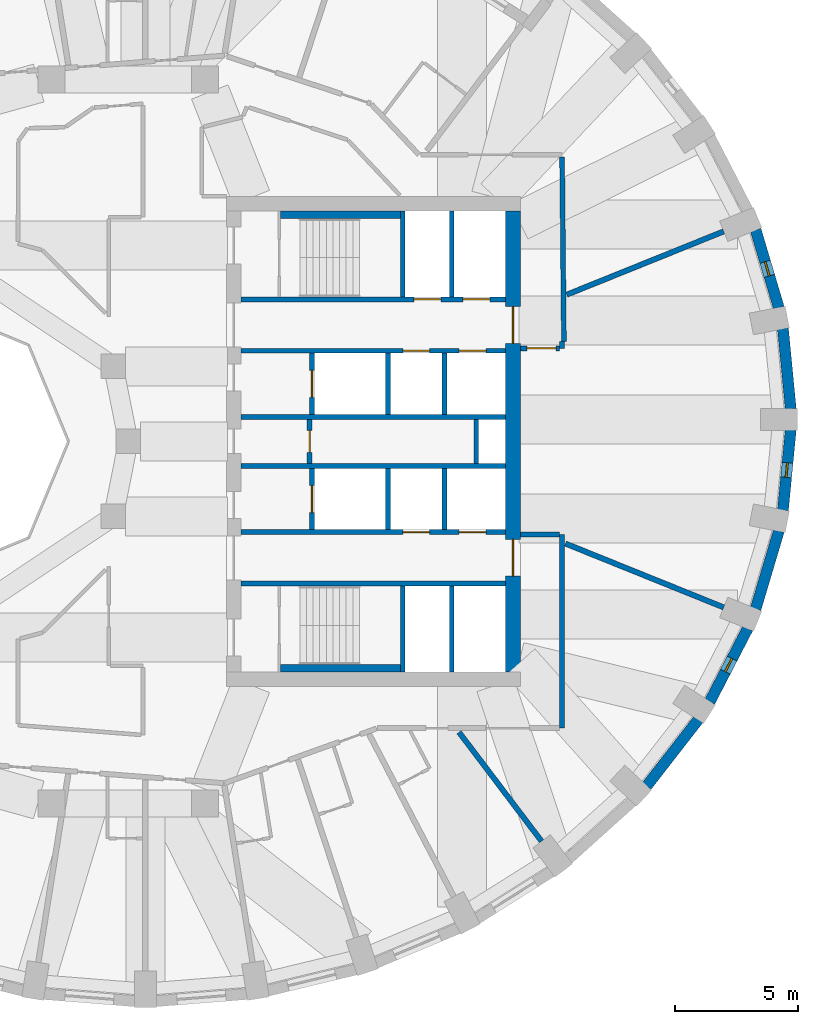
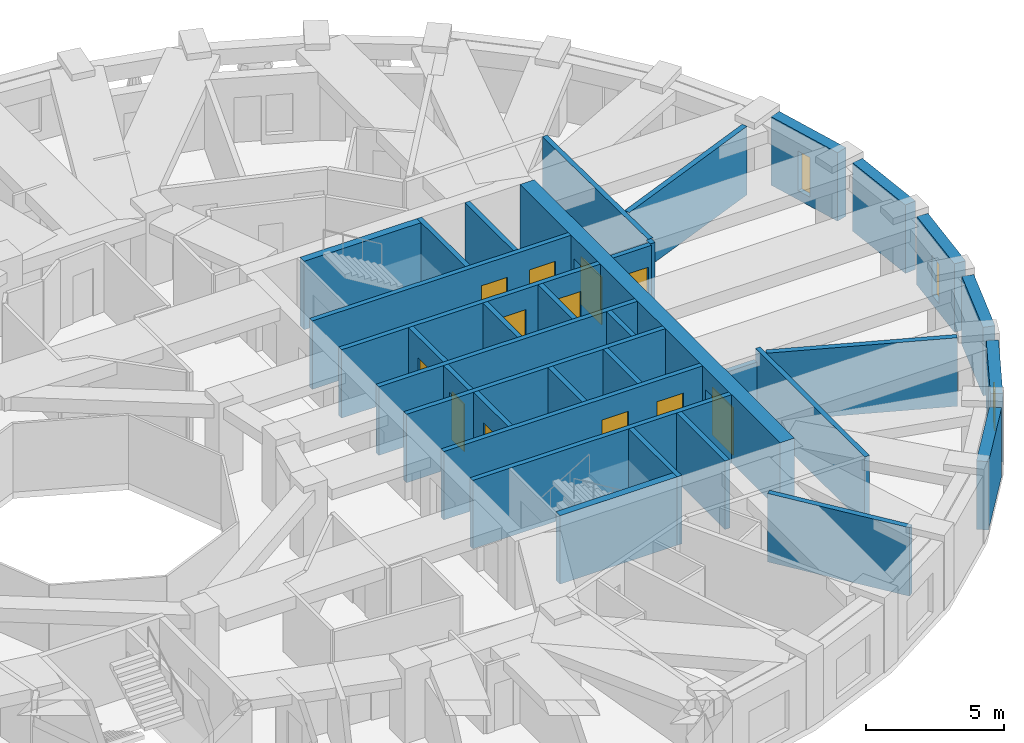
# One storey, part 6 of 12: 35 walls, 12 doors, 3 windows, 15 openings.
"""IFC4 building model written with IfcOpenShell, lengths in metres."""

from ifc_helpers import new_model, si_unit, direction, frame, frame_2d, origin, place, context, subcontext, project, spatial, rectangle, extrude, material, layer, layer_set, type_object, element, fill, save


model = new_model("IFC4")

# Units and contexts
model_context = context("Model", 3, precision=1e-05, world=origin(), true_north=direction((0.0, 1.0)))
body_context = subcontext(model_context, "Body", "Model", "MODEL_VIEW")
ifc_project = project(units=[si_unit("LENGTHUNIT", "METRE"), si_unit("AREAUNIT", "SQUARE_METRE"), si_unit("VOLUMEUNIT", "CUBIC_METRE"), si_unit("PLANEANGLEUNIT", "RADIAN"), si_unit("MASSUNIT", "GRAM", prefix="KILO")], contexts=[model_context])

# Site, building, storey
site_placement = place(None, origin())
site = spatial("IfcSite", under=ifc_project, at=site_placement, CompositionType="ELEMENT")
building_placement = place(site_placement, origin())
building = spatial("IfcBuilding", under=site, at=building_placement, Name="Taillehof Tower", CompositionType="ELEMENT")
storey_placement = place(building_placement, frame((0.0, 0.0, 192.5)))
storey = spatial("IfcBuildingStorey", under=building, at=storey_placement, Name="L54", CompositionType="ELEMENT", Elevation=192.5)

# Wall
ifc_material_1 = material(Name="Brick masonry", Category="masonry")
ifc_layer_1 = layer(ifc_material_1, 0.449951171875)
ifc_layer_set_1 = layer_set([ifc_layer_1], Name="Brick infill wall 450")
wall_type_1 = type_object("IfcWallType", Name="Brick infill wall 450", PredefinedType="SOLIDWALL", material=ifc_layer_set_1)
wall_1_placement = place(storey_placement, frame((27.0322265625, 1.330078125, 0.0), z_axis=(0.0, 0.0, 1.0), x_axis=(-0.096824116835, 0.995301507283, 0.0)))
element("IfcWall", 1, at=wall_1_placement, inside=storey, type_object=wall_type_1, Name="Brick wall L54 bay 1", PredefinedType="SOLIDWALL", context=body_context, shape_type="SweptSolid", body=[
    extrude(rectangle(XDim=3.29296875, YDim=0.449951171875, at=frame_2d((1.646484375, 0.0))), origin(), (0.0, 0.0, 1.0), 3.02001953125),
])

# Wall, opening, window
wall_2_placement = place(storey_placement, frame((26.548095703125, 5.451904296875, 0.0), z_axis=(0.0, 0.0, 1.0), x_axis=(-0.285444972963, 0.958395099847, 0.0)))
wall_2 = element("IfcWall", 2, at=wall_2_placement, inside=storey, type_object=wall_type_1, Name="Brick wall L54 bay 2", PredefinedType="SOLIDWALL", context=body_context, shape_type="SweptSolid", body=[
    extrude(rectangle(XDim=3.3203125, YDim=0.449951171875, at=frame_2d((1.66015625, 0.0))), origin(), (0.0, 0.0, 1.0), 3.02001953125),
])
opening_1_placement = place(wall_2_placement, frame((1.360107421875, 0.0, 0.39990234375)))
opening_1 = element("IfcOpeningElement", 3, at=opening_1_placement, cuts=wall_2, Name="Opening W6", PredefinedType="OPENING", context=body_context, shape_type="SweptSolid", body=[
    extrude(rectangle(XDim=0.60009765625, YDim=1.75, at=frame_2d((0.300048828125, 0.875))), frame((0.0, 0.23486328125, 0.0), z_axis=(0.0, -1.0, 0.0), x_axis=(1.0, 0.0, 0.0)), (0.0, 0.0, 1.0), 0.469970703125),
])
ifc_material_2 = material(Name="Aluminium window frame with clear double glazing", Category="aluminium")
window_type = type_object("IfcWindowType", Name="Slot window 600x1750", PartitioningType="SINGLE_PANEL", PredefinedType="WINDOW", material=ifc_material_2)
window_1_placement = place(opening_1_placement, origin())
window_1 = element("IfcWindow", 4, at=window_1_placement, inside=storey, type_object=window_type, Name="W6", OverallHeight=1.75, OverallWidth=0.60009765625, PartitioningType="SINGLE_PANEL", PredefinedType="WINDOW", context=body_context, shape_type="SweptSolid", body=[
    extrude(rectangle(XDim=0.60009765625, YDim=1.75, at=frame_2d((0.300048828125, 0.875))), frame((0.0, 0.034912109375, 0.0), z_axis=(0.0, -1.0, 0.0), x_axis=(1.0, 0.0, 0.0)), (0.0, 0.0, 1.0), 0.06005859375),
])
fill(opening_1, window_1)

# Wall
wall_3_placement = place(storey_placement, frame((21.1513671875, -14.06103515625, 0.0), z_axis=(0.0, 0.0, 1.0), x_axis=(0.614255239631, 0.789107407509, 0.0)))
element("IfcWall", 5, at=wall_3_placement, inside=storey, type_object=wall_type_1, Name="Brick wall L54 bay 33", PredefinedType="SOLIDWALL", context=body_context, shape_type="SweptSolid", body=[
    extrude(rectangle(XDim=3.4375, YDim=0.449951171875, at=frame_2d((1.71875, 0.0))), origin(), (0.0, 0.0, 1.0), 3.02001953125),
])

# Wall, opening, window
wall_4_placement = place(storey_placement, frame((23.72705078125, -10.6240234375, 0.0), z_axis=(0.0, 0.0, 1.0), x_axis=(0.460175500475, 0.887827972505, 0.0)))
wall_4 = element("IfcWall", 6, at=wall_4_placement, inside=storey, type_object=wall_type_1, Name="Brick wall L54 bay 34", PredefinedType="SOLIDWALL", context=body_context, shape_type="SweptSolid", body=[
    extrude(rectangle(XDim=3.37060546875, YDim=0.449951171875, at=frame_2d((1.685302734375, 0.0))), origin(), (0.0, 0.0, 1.0), 3.02001953125),
])
opening_2_placement = place(wall_4_placement, frame((1.38525390625, 0.0, 0.39990234375)))
opening_2 = element("IfcOpeningElement", 7, at=opening_2_placement, cuts=wall_4, Name="Opening W6", PredefinedType="OPENING", context=body_context, shape_type="SweptSolid", body=[
    extrude(rectangle(XDim=0.60009765625, YDim=1.75, at=frame_2d((0.300048828125, 0.875))), frame((0.0, 0.23486328125, 0.0), z_axis=(0.0, -1.0, 0.0), x_axis=(1.0, 0.0, 0.0)), (0.0, 0.0, 1.0), 0.469970703125),
])
window_2_placement = place(opening_2_placement, origin())
window_2 = element("IfcWindow", 8, at=window_2_placement, inside=storey, type_object=window_type, Name="W6", OverallHeight=1.75, OverallWidth=0.60009765625, PartitioningType="SINGLE_PANEL", PredefinedType="WINDOW", context=body_context, shape_type="SweptSolid", body=[
    extrude(rectangle(XDim=0.60009765625, YDim=1.75, at=frame_2d((0.300048828125, 0.875))), frame((0.0, 0.034912109375, 0.0), z_axis=(0.0, -1.0, 0.0), x_axis=(1.0, 0.0, 0.0)), (0.0, 0.0, 1.0), 0.06005859375),
])
fill(opening_2, window_2)

# Wall
wall_5_placement = place(storey_placement, frame((25.600341796875, -6.833984375, 0.0), z_axis=(0.0, 0.0, 1.0), x_axis=(0.285444972963, 0.958395099847, 0.0)))
element("IfcWall", 9, at=wall_5_placement, inside=storey, type_object=wall_type_1, Name="Brick wall L54 bay 35", PredefinedType="SOLIDWALL", context=body_context, shape_type="SweptSolid", body=[
    extrude(rectangle(XDim=3.3203125, YDim=0.449951171875, at=frame_2d((1.66015625, 0.0))), origin(), (0.0, 0.0, 1.0), 3.02001953125),
])

# Wall, opening, window
wall_6_placement = place(storey_placement, frame((26.71337890625, -2.807861328125, 0.0), z_axis=(0.0, 0.0, 1.0), x_axis=(0.096816972749, 0.995302202242, 0.0)))
wall_6 = element("IfcWall", 10, at=wall_6_placement, inside=storey, type_object=wall_type_1, Name="Brick wall L54 bay 36", PredefinedType="SOLIDWALL", context=body_context, shape_type="SweptSolid", body=[
    extrude(rectangle(XDim=3.293212890625, YDim=0.449951171875, at=frame_2d((1.646484375, 0.0))), origin(), (0.0, 0.0, 1.0), 3.02001953125),
])
opening_3_placement = place(wall_6_placement, frame((1.3466796875, 0.0, 0.39990234375)))
opening_3 = element("IfcOpeningElement", 11, at=opening_3_placement, cuts=wall_6, Name="Opening W6", PredefinedType="OPENING", context=body_context, shape_type="SweptSolid", body=[
    extrude(rectangle(XDim=0.60009765625, YDim=1.75, at=frame_2d((0.300048828125, 0.875))), frame((0.0, 0.23486328125, 0.0), z_axis=(0.0, -1.0, 0.0), x_axis=(1.0, 0.0, 0.0)), (0.0, 0.0, 1.0), 0.469970703125),
])
window_3_placement = place(opening_3_placement, origin())
window_3 = element("IfcWindow", 12, at=window_3_placement, inside=storey, type_object=window_type, Name="W6", OverallHeight=1.75, OverallWidth=0.60009765625, PartitioningType="SINGLE_PANEL", PredefinedType="WINDOW", context=body_context, shape_type="SweptSolid", body=[
    extrude(rectangle(XDim=0.60009765625, YDim=1.75, at=frame_2d((0.300048828125, 0.875))), frame((0.0, 0.034912109375, 0.0), z_axis=(0.0, -1.0, 0.0), x_axis=(1.0, 0.0, 0.0)), (0.0, 0.0, 1.0), 0.06005859375),
])
fill(opening_3, window_3)

# Wall, opening, door
ifc_material_3 = material(Name="Calcium silicate masonry", Category="masonry")
ifc_layer_2 = layer(ifc_material_3, 0.199951171875)
ifc_layer_set_2 = layer_set([ifc_layer_2], Name="Compartment wall calcium silicate 200")
wall_type_2 = type_object("IfcWallType", Name="Compartment wall calcium silicate 200", PredefinedType="PARTITIONING", material=ifc_layer_set_2)
wall_7_placement = place(storey_placement, frame((7.39990234375, -0.89990234375, 0.0), z_axis=(0.0, 0.0, 1.0), x_axis=(0.0, 1.0, 0.0)))
wall_7 = element("IfcWall", 13, at=wall_7_placement, inside=storey, type_object=wall_type_2, Name="Compartment wall FW", PredefinedType="PARTITIONING", context=body_context, shape_type="SweptSolid", body=[
    extrude(rectangle(XDim=1.7998046875, YDim=0.199951171875, at=frame_2d((0.89990234375, 0.0))), origin(), (0.0, 0.0, 1.0), 3.02001953125),
])
opening_4_placement = place(wall_7_placement, frame((0.449951171875, 0.0, 0.0)))
opening_4 = element("IfcOpeningElement", 14, at=opening_4_placement, cuts=wall_7, Name="Opening D5414", PredefinedType="OPENING", context=body_context, shape_type="SweptSolid", body=[
    extrude(rectangle(XDim=0.89990234375, YDim=2.10009765625, at=frame_2d((0.449951171875, 1.050048828125))), frame((0.0, 0.10986328125, 0.0), z_axis=(0.0, -1.0, 0.0), x_axis=(1.0, 0.0, 0.0)), (0.0, 0.0, 1.0), 0.219970703125),
])
ifc_material_4 = material(Name="Steel-faced fire door", Category="steel")
door_type_1 = type_object("IfcDoorType", Name="Riser and service room door 900x2100", OperationType="SINGLE_SWING_LEFT", PredefinedType="DOOR", material=ifc_material_4)
door_1_placement = place(opening_4_placement, origin())
door_1 = element("IfcDoor", 15, at=door_1_placement, inside=storey, type_object=door_type_1, Name="Door Ice And Pantry Room", OperationType="SINGLE_SWING_RIGHT", OverallHeight=2.10009765625, OverallWidth=0.89990234375, PredefinedType="DOOR", context=body_context, shape_type="SweptSolid", body=[
    extrude(rectangle(XDim=0.89990234375, YDim=2.10009765625, at=frame_2d((0.449951171875, 1.050048828125))), frame((0.0, 0.02490234375, 0.0), z_axis=(0.0, -1.0, 0.0), x_axis=(1.0, 0.0, 0.0)), (0.0, 0.0, 1.0), 0.050048828125),
])
fill(opening_4, door_1)

# Walls
wall_8_placement = place(storey_placement, frame((14.199951171875, -0.89990234375, 0.0), z_axis=(0.0, 0.0, 1.0), x_axis=(0.0, 1.0, 0.0)))
element("IfcWall", 16, at=wall_8_placement, inside=storey, type_object=wall_type_2, Name="Compartment wall FW", PredefinedType="PARTITIONING", context=body_context, shape_type="SweptSolid", body=[
    extrude(rectangle(XDim=1.7998046875, YDim=0.199951171875, at=frame_2d((0.89990234375, 0.0))), origin(), (0.0, 0.0, 1.0), 3.02001953125),
])
ifc_material_5 = material(Name="Gypsum board on steel studs, two layers each side", Category="steel")
ifc_layer_3 = layer(ifc_material_5, 0.199951171875)
ifc_layer_set_3 = layer_set([ifc_layer_3], Name="Compartment wall corridor 200")
wall_type_3 = type_object("IfcWallType", Name="Compartment wall corridor 200", PredefinedType="PARTITIONING", material=ifc_layer_set_3)
wall_9_placement = place(storey_placement, frame((17.699951171875, -3.800048828125, 0.0), z_axis=(0.0, 0.0, 1.0), x_axis=(0.0, -1.0, 0.0)))
element("IfcWall", 17, at=wall_9_placement, inside=storey, type_object=wall_type_3, Name="Compartment wall", PredefinedType="PARTITIONING", context=body_context, shape_type="SweptSolid", body=[
    extrude(rectangle(XDim=7.89990234375, YDim=0.199951171875, at=frame_2d((3.949951171875, 0.0))), origin(), (0.0, 0.0, 1.0), 3.02001953125),
])
wall_10_placement = place(storey_placement, frame((17.701171875, 11.599853515625, 0.0), z_axis=(0.0, 0.0, 1.0), x_axis=(0.009840700525, -0.999951579134, 0.0)))
element("IfcWall", 18, at=wall_10_placement, inside=storey, type_object=wall_type_3, Name="Compartment wall", PredefinedType="PARTITIONING", context=body_context, shape_type="SweptSolid", body=[
    extrude(rectangle(XDim=7.51708984375, YDim=0.199951171875, at=frame_2d((3.758544921875, 0.0))), origin(), (0.0, 0.0, 1.0), 3.02001953125),
])
wall_11_placement = place(storey_placement, frame((17.699951171875, 4.0830078125, 0.0), z_axis=(0.0, 0.0, 1.0), x_axis=(0.0, -1.0, 0.0)))
element("IfcWall", 19, at=wall_11_placement, inside=storey, type_object=wall_type_3, Name="Compartment wall", PredefinedType="PARTITIONING", context=body_context, shape_type="SweptSolid", body=[
    extrude(rectangle(XDim=0.282958984375, YDim=0.199951171875, at=frame_2d((0.1416015625, 0.0))), origin(), (0.0, 0.0, 1.0), 3.02001953125),
])

# Wall, opening, door
wall_12_placement = place(storey_placement, frame((17.599853515625, 3.800048828125, 0.0), z_axis=(0.0, 0.0, 1.0), x_axis=(-1.0, 0.0, 0.0)))
wall_12 = element("IfcWall", 20, at=wall_12_placement, inside=storey, type_object=wall_type_3, Name="Compartment wall", PredefinedType="PARTITIONING", context=body_context, shape_type="SweptSolid", body=[
    extrude(rectangle(XDim=1.595947265625, YDim=0.199951171875, at=frame_2d((0.7978515625, 0.0))), origin(), (0.0, 0.0, 1.0), 3.02001953125),
])
opening_5_placement = place(wall_12_placement, frame((0.139892578125, 0.0, 0.0)))
opening_5 = element("IfcOpeningElement", 21, at=opening_5_placement, cuts=wall_12, Name="Opening D5469", PredefinedType="OPENING", context=body_context, shape_type="SweptSolid", body=[
    extrude(rectangle(XDim=1.199951171875, YDim=2.10009765625, at=frame_2d((0.60009765625, 1.050048828125))), frame((0.0, 0.10986328125, 0.0), z_axis=(0.0, -1.0, 0.0), x_axis=(1.0, 0.0, 0.0)), (0.0, 0.0, 1.0), 0.219970703125),
])
ifc_material_6 = material(Name="Timber door leaf in steel frame", Category="steel")
door_type_2 = type_object("IfcDoorType", Name="Suite entrance door EI 30 1200 x 2100", OperationType="SINGLE_SWING_LEFT", PredefinedType="DOOR", material=ifc_material_6)
door_2_placement = place(opening_5_placement, origin())
door_2 = element("IfcDoor", 22, at=door_2_placement, inside=storey, type_object=door_type_2, Name="D5469", OperationType="SINGLE_SWING_LEFT", OverallHeight=2.10009765625, OverallWidth=1.199951171875, PredefinedType="DOOR", context=body_context, shape_type="SweptSolid", body=[
    extrude(rectangle(XDim=1.199951171875, YDim=2.10009765625, at=frame_2d((0.60009765625, 1.050048828125))), frame((0.0, 0.02490234375, 0.0), z_axis=(0.0, -1.0, 0.0), x_axis=(1.0, 0.0, 0.0)), (0.0, 0.0, 1.0), 0.050048828125),
])
fill(opening_5, door_2)

# Walls
wall_13_placement = place(storey_placement, frame((16.00390625, -3.800048828125, 0.0), z_axis=(0.0, 0.0, 1.0), x_axis=(1.0, 0.0, 0.0)))
element("IfcWall", 23, at=wall_13_placement, inside=storey, type_object=wall_type_3, Name="Compartment wall", PredefinedType="PARTITIONING", context=body_context, shape_type="SweptSolid", body=[
    extrude(rectangle(XDim=1.595947265625, YDim=0.199951171875, at=frame_2d((0.7978515625, 0.0))), origin(), (0.0, 0.0, 1.0), 2.469970703125),
])
ifc_material_7 = material(Name="Gypsum board on double steel studs with mineral wool", Category="steel")
ifc_layer_4 = layer(ifc_material_7, 0.219970703125)
ifc_layer_set_4 = layer_set([ifc_layer_4], Name="Compartment wall guest room 220")
wall_type_4 = type_object("IfcWallType", Name="Compartment wall guest room 220", PredefinedType="PARTITIONING", material=ifc_layer_set_4)
wall_14_placement = place(storey_placement, frame((24.29541015625, 8.5712890625, 0.0), z_axis=(0.0, 0.0, 1.0), x_axis=(-0.927397147779, -0.374078240869, 0.0)))
element("IfcWall", 24, at=wall_14_placement, inside=storey, type_object=wall_type_4, Name="Compartment wall", PredefinedType="PARTITIONING", context=body_context, shape_type="SweptSolid", body=[
    extrude(rectangle(XDim=6.903076171875, YDim=0.219970703125, at=frame_2d((3.45166015625, 0.0))), origin(), (0.0, 0.0, 1.0), 3.02001953125),
])
wall_15_placement = place(storey_placement, frame((16.86328125, -16.3125, 0.0), z_axis=(0.0, 0.0, 1.0), x_axis=(-0.603626861738, 0.797266963939, 0.0)))
element("IfcWall", 25, at=wall_15_placement, inside=storey, type_object=wall_type_4, Name="Compartment wall", PredefinedType="PARTITIONING", context=body_context, shape_type="SweptSolid", body=[
    extrude(rectangle(XDim=5.580322265625, YDim=0.219970703125, at=frame_2d((2.7900390625, 0.0))), origin(), (0.0, 0.0, 1.0), 3.02001953125),
])
wall_16_placement = place(storey_placement, frame((24.29541015625, -6.771484375, 0.0), z_axis=(0.0, 0.0, 1.0), x_axis=(-0.927387137769, 0.374103056256, 0.0)))
element("IfcWall", 26, at=wall_16_placement, inside=storey, type_object=wall_type_4, Name="Compartment wall", PredefinedType="PARTITIONING", context=body_context, shape_type="SweptSolid", body=[
    extrude(rectangle(XDim=6.9638671875, YDim=0.219970703125, at=frame_2d((3.48193359375, 0.0))), origin(), (0.0, 0.0, 1.0), 3.02001953125),
])
ifc_material_8 = material(Name="Calcium silicate masonry", Category="masonry")
ifc_layer_5 = layer(ifc_material_8, 0.300048828125)
ifc_layer_set_5 = layer_set([ifc_layer_5], Name="Compartment wall lining calcium silicate 300")
wall_type_5 = type_object("IfcWallType", Name="Compartment wall lining calcium silicate 300", PredefinedType="PARTITIONING", material=ifc_layer_set_5)
for number, where, z_axis, x_axis, name in (
    (27, (6.219970703125, 9.25, 0.0), (0.0, 0.0, 1.0), (1.0, 0.0, 0.0), "Compartment wall FW"),
    (28, (6.219970703125, -9.25, 0.0), (0.0, 0.0, 1.0), (1.0, 0.0, 0.0), "Compartment wall FW"),
):
    element("IfcWall", number, at=place(storey_placement, frame(where, z_axis=z_axis, x_axis=x_axis)), inside=storey, type_object=wall_type_5, Name=name, PredefinedType="PARTITIONING", context=body_context, shape_type="SweptSolid", body=[
        extrude(rectangle(XDim=4.880126953125, YDim=0.300048828125, at=frame_2d((2.43994140625, 0.0))), origin(), (0.0, 0.0, 1.0), 3.02001953125),
    ])

# Wall, openings, doors
ifc_material_9 = material(Name="Concrete C80/95", Category="concrete")
ifc_layer_6 = layer(ifc_material_9, 0.60009765625)
ifc_layer_set_6 = layer_set([ifc_layer_6], Name="Core wall C80/95 600")
wall_type_6 = type_object("IfcWallType", Name="Core wall C80/95 600", PredefinedType="SHEAR", material=ifc_layer_set_6)
wall_17_placement = place(storey_placement, frame((15.699951171875, -9.39990234375, 0.0), z_axis=(0.0, 0.0, 1.0), x_axis=(0.0, 1.0, 0.0)))
wall_17 = element("IfcWall", 29, at=wall_17_placement, inside=storey, type_object=wall_type_6, Name="Core wall CW05", PredefinedType="SHEAR", context=body_context, shape_type="SweptSolid", body=[
    extrude(rectangle(XDim=18.7998046875, YDim=0.60009765625, at=frame_2d((9.39990234375, 0.0))), origin(), (0.0, 0.0, 1.0), 3.02001953125),
])
opening_6_placement = place(wall_17_placement, frame((13.39990234375, 0.0, 0.0)))
opening_6 = element("IfcOpeningElement", 30, at=opening_6_placement, cuts=wall_17, Name="Opening D5408", PredefinedType="OPENING", context=body_context, shape_type="SweptSolid", body=[
    extrude(rectangle(XDim=1.5, YDim=2.10009765625, at=frame_2d((0.75, 1.050048828125))), frame((0.0, 0.31005859375, 0.0), z_axis=(0.0, -1.0, 0.0), x_axis=(1.0, 0.0, 0.0)), (0.0, 0.0, 1.0), 0.6201171875),
])
opening_7_placement = place(wall_17_placement, frame((3.89990234375, 0.0, 0.0)))
opening_7 = element("IfcOpeningElement", 31, at=opening_7_placement, cuts=wall_17, Name="Opening D5409", PredefinedType="OPENING", context=body_context, shape_type="SweptSolid", body=[
    extrude(rectangle(XDim=1.5, YDim=2.10009765625, at=frame_2d((0.75, 1.050048828125))), frame((0.0, 0.31005859375, 0.0), z_axis=(0.0, -1.0, 0.0), x_axis=(1.0, 0.0, 0.0)), (0.0, 0.0, 1.0), 0.6201171875),
])
ifc_material_10 = material(Name="Steel-faced fire door", Category="steel")
door_type_3 = type_object("IfcDoorType", Name="Lift lobby east door 1500x2100", OperationType="DOUBLE_DOOR_SINGLE_SWING", PredefinedType="DOOR", material=ifc_material_10)
door_3_placement = place(opening_6_placement, origin())
door_3 = element("IfcDoor", 32, at=door_3_placement, inside=storey, type_object=door_type_3, Name="Lift lobby east door north", OperationType="DOUBLE_DOOR_SINGLE_SWING", OverallHeight=2.10009765625, OverallWidth=1.5, PredefinedType="DOOR", context=body_context, shape_type="SweptSolid", body=[
    extrude(rectangle(XDim=1.5, YDim=2.10009765625, at=frame_2d((0.75, 1.050048828125))), frame((0.0, 0.02490234375, 0.0), z_axis=(0.0, -1.0, 0.0), x_axis=(1.0, 0.0, 0.0)), (0.0, 0.0, 1.0), 0.050048828125),
])
fill(opening_6, door_3)
door_4_placement = place(opening_7_placement, origin())
door_4 = element("IfcDoor", 33, at=door_4_placement, inside=storey, type_object=door_type_3, Name="Lift lobby east door south", OperationType="DOUBLE_DOOR_SINGLE_SWING", OverallHeight=2.10009765625, OverallWidth=1.5, PredefinedType="DOOR", context=body_context, shape_type="SweptSolid", body=[
    extrude(rectangle(XDim=1.5, YDim=2.10009765625, at=frame_2d((0.75, 1.050048828125))), frame((0.0, 0.02490234375, 0.0), z_axis=(0.0, -1.0, 0.0), x_axis=(1.0, 0.0, 0.0)), (0.0, 0.0, 1.0), 0.050048828125),
])
fill(opening_7, door_4)

ifc_material_11 = material(Name="Concrete C50/60", Category="concrete")
ifc_layer_7 = layer(ifc_material_11, 0.199951171875)
ifc_layer_set_7 = layer_set([ifc_layer_7], Name="Shaft wall C50/60 200")
wall_type_7 = type_object("IfcWallType", Name="Shaft wall C50/60 200", PredefinedType="SHEAR", material=ifc_layer_set_7)
wall_18_placement = place(storey_placement, frame((4.60009765625, 5.800048828125, 0.0), z_axis=(0.0, 0.0, 1.0), x_axis=(1.0, 0.0, 0.0)))
wall_18 = element("IfcWall", 34, at=wall_18_placement, inside=storey, type_object=wall_type_7, Name="Shaft wall SW", PredefinedType="SHEAR", context=body_context, shape_type="SweptSolid", body=[
    extrude(rectangle(XDim=10.7998046875, YDim=0.199951171875, at=frame_2d((5.39990234375, 0.0))), origin(), (0.0, 0.0, 1.0), 3.02001953125),
])
opening_8_placement = place(wall_18_placement, frame((7.050048828125, 0.0, 0.0)))
opening_8 = element("IfcOpeningElement", 35, at=opening_8_placement, cuts=wall_18, Name="Opening LD1", PredefinedType="OPENING", context=body_context, shape_type="SweptSolid", body=[
    extrude(rectangle(XDim=1.10009765625, YDim=2.10009765625, at=frame_2d((0.550048828125, 1.050048828125))), frame((0.0, 0.10986328125, 0.0), z_axis=(0.0, -1.0, 0.0), x_axis=(1.0, 0.0, 0.0)), (0.0, 0.0, 1.0), 0.219970703125),
])
opening_9_placement = place(wall_18_placement, frame((9.050048828125, 0.0, 0.0)))
opening_9 = element("IfcOpeningElement", 36, at=opening_9_placement, cuts=wall_18, Name="Opening LD1", PredefinedType="OPENING", context=body_context, shape_type="SweptSolid", body=[
    extrude(rectangle(XDim=1.10009765625, YDim=2.10009765625, at=frame_2d((0.550048828125, 1.050048828125))), frame((0.0, 0.10986328125, 0.0), z_axis=(0.0, -1.0, 0.0), x_axis=(1.0, 0.0, 0.0)), (0.0, 0.0, 1.0), 0.219970703125),
])
ifc_material_12 = material(Name="Stainless steel", Category="steel")
door_type_4 = type_object("IfcDoorType", Name="Lift landing door LD1 1100x2100", OperationType="DOUBLE_DOOR_SLIDING", PredefinedType="DOOR", material=ifc_material_12)
door_5_placement = place(opening_8_placement, origin())
door_5 = element("IfcDoor", 37, at=door_5_placement, inside=storey, type_object=door_type_4, Name="Landing door HR1", OperationType="DOUBLE_DOOR_SLIDING", OverallHeight=2.10009765625, OverallWidth=1.10009765625, PredefinedType="DOOR", context=body_context, shape_type="SweptSolid", body=[
    extrude(rectangle(XDim=1.10009765625, YDim=2.10009765625, at=frame_2d((0.550048828125, 1.050048828125))), frame((0.0, 0.02490234375, 0.0), z_axis=(0.0, -1.0, 0.0), x_axis=(1.0, 0.0, 0.0)), (0.0, 0.0, 1.0), 0.050048828125),
])
fill(opening_8, door_5)
door_6_placement = place(opening_9_placement, origin())
door_6 = element("IfcDoor", 38, at=door_6_placement, inside=storey, type_object=door_type_4, Name="Landing door HR2", OperationType="DOUBLE_DOOR_SLIDING", OverallHeight=2.10009765625, OverallWidth=1.10009765625, PredefinedType="DOOR", context=body_context, shape_type="SweptSolid", body=[
    extrude(rectangle(XDim=1.10009765625, YDim=2.10009765625, at=frame_2d((0.550048828125, 1.050048828125))), frame((0.0, 0.02490234375, 0.0), z_axis=(0.0, -1.0, 0.0), x_axis=(1.0, 0.0, 0.0)), (0.0, 0.0, 1.0), 0.050048828125),
])
fill(opening_9, door_6)

wall_19_placement = place(storey_placement, frame((4.60009765625, 3.699951171875, 0.0), z_axis=(0.0, 0.0, 1.0), x_axis=(1.0, 0.0, 0.0)))
wall_19 = element("IfcWall", 39, at=wall_19_placement, inside=storey, type_object=wall_type_7, Name="Shaft wall SW", PredefinedType="SHEAR", context=body_context, shape_type="SweptSolid", body=[
    extrude(rectangle(XDim=10.7998046875, YDim=0.199951171875, at=frame_2d((5.39990234375, 0.0))), origin(), (0.0, 0.0, 1.0), 3.02001953125),
])
opening_10_placement = place(wall_19_placement, frame((6.60009765625, 0.0, 0.0)))
opening_10 = element("IfcOpeningElement", 40, at=opening_10_placement, cuts=wall_19, Name="Opening LD1", PredefinedType="OPENING", context=body_context, shape_type="SweptSolid", body=[
    extrude(rectangle(XDim=1.10009765625, YDim=2.10009765625, at=frame_2d((0.550048828125, 1.050048828125))), frame((0.0, 0.10986328125, 0.0), z_axis=(0.0, -1.0, 0.0), x_axis=(1.0, 0.0, 0.0)), (0.0, 0.0, 1.0), 0.219970703125),
])
opening_11_placement = place(wall_19_placement, frame((8.89990234375, 0.0, 0.0)))
opening_11 = element("IfcOpeningElement", 41, at=opening_11_placement, cuts=wall_19, Name="Opening LD1", PredefinedType="OPENING", context=body_context, shape_type="SweptSolid", body=[
    extrude(rectangle(XDim=1.10009765625, YDim=2.10009765625, at=frame_2d((0.550048828125, 1.050048828125))), frame((0.0, 0.10986328125, 0.0), z_axis=(0.0, -1.0, 0.0), x_axis=(1.0, 0.0, 0.0)), (0.0, 0.0, 1.0), 0.219970703125),
])
door_7_placement = place(opening_10_placement, origin())
door_7 = element("IfcDoor", 42, at=door_7_placement, inside=storey, type_object=door_type_4, Name="Landing door HR3", OperationType="DOUBLE_DOOR_SLIDING", OverallHeight=2.10009765625, OverallWidth=1.10009765625, PredefinedType="DOOR", context=body_context, shape_type="SweptSolid", body=[
    extrude(rectangle(XDim=1.10009765625, YDim=2.10009765625, at=frame_2d((0.550048828125, 1.050048828125))), frame((0.0, 0.02490234375, 0.0), z_axis=(0.0, -1.0, 0.0), x_axis=(1.0, 0.0, 0.0)), (0.0, 0.0, 1.0), 0.050048828125),
])
fill(opening_10, door_7)
door_8_placement = place(opening_11_placement, origin())
door_8 = element("IfcDoor", 43, at=door_8_placement, inside=storey, type_object=door_type_4, Name="Landing door HR4", OperationType="DOUBLE_DOOR_SLIDING", OverallHeight=2.10009765625, OverallWidth=1.10009765625, PredefinedType="DOOR", context=body_context, shape_type="SweptSolid", body=[
    extrude(rectangle(XDim=1.10009765625, YDim=2.10009765625, at=frame_2d((0.550048828125, 1.050048828125))), frame((0.0, 0.02490234375, 0.0), z_axis=(0.0, -1.0, 0.0), x_axis=(1.0, 0.0, 0.0)), (0.0, 0.0, 1.0), 0.050048828125),
])
fill(opening_11, door_8)

# Walls
for number, where, z_axis, x_axis, name in (
    (44, (4.60009765625, 1.0, 0.0), (0.0, 0.0, 1.0), (1.0, 0.0, 0.0), "Shaft wall SW"),
    (45, (4.60009765625, -1.0, 0.0), (0.0, 0.0, 1.0), (1.0, 0.0, 0.0), "Shaft wall SW"),
):
    element("IfcWall", number, at=place(storey_placement, frame(where, z_axis=z_axis, x_axis=x_axis)), inside=storey, type_object=wall_type_7, Name=name, PredefinedType="SHEAR", context=body_context, shape_type="SweptSolid", body=[
        extrude(rectangle(XDim=10.7998046875, YDim=0.199951171875, at=frame_2d((5.39990234375, 0.0))), origin(), (0.0, 0.0, 1.0), 3.02001953125),
    ])

# Wall, openings, doors
wall_20_placement = place(storey_placement, frame((4.60009765625, -3.699951171875, 0.0), z_axis=(0.0, 0.0, 1.0), x_axis=(1.0, 0.0, 0.0)))
wall_20 = element("IfcWall", 46, at=wall_20_placement, inside=storey, type_object=wall_type_7, Name="Shaft wall SW", PredefinedType="SHEAR", context=body_context, shape_type="SweptSolid", body=[
    extrude(rectangle(XDim=10.7998046875, YDim=0.199951171875, at=frame_2d((5.39990234375, 0.0))), origin(), (0.0, 0.0, 1.0), 3.02001953125),
])
opening_12_placement = place(wall_20_placement, frame((6.60009765625, 0.0, 0.0)))
opening_12 = element("IfcOpeningElement", 47, at=opening_12_placement, cuts=wall_20, Name="Opening LD1", PredefinedType="OPENING", context=body_context, shape_type="SweptSolid", body=[
    extrude(rectangle(XDim=1.10009765625, YDim=2.10009765625, at=frame_2d((0.550048828125, 1.050048828125))), frame((0.0, 0.10986328125, 0.0), z_axis=(0.0, -1.0, 0.0), x_axis=(1.0, 0.0, 0.0)), (0.0, 0.0, 1.0), 0.219970703125),
])
opening_13_placement = place(wall_20_placement, frame((8.89990234375, 0.0, 0.0)))
opening_13 = element("IfcOpeningElement", 48, at=opening_13_placement, cuts=wall_20, Name="Opening LD1", PredefinedType="OPENING", context=body_context, shape_type="SweptSolid", body=[
    extrude(rectangle(XDim=1.10009765625, YDim=2.10009765625, at=frame_2d((0.550048828125, 1.050048828125))), frame((0.0, 0.10986328125, 0.0), z_axis=(0.0, -1.0, 0.0), x_axis=(1.0, 0.0, 0.0)), (0.0, 0.0, 1.0), 0.219970703125),
])
door_9_placement = place(opening_12_placement, origin())
door_9 = element("IfcDoor", 49, at=door_9_placement, inside=storey, type_object=door_type_4, Name="Landing door HR5", OperationType="DOUBLE_DOOR_SLIDING", OverallHeight=2.10009765625, OverallWidth=1.10009765625, PredefinedType="DOOR", context=body_context, shape_type="SweptSolid", body=[
    extrude(rectangle(XDim=1.10009765625, YDim=2.10009765625, at=frame_2d((0.550048828125, 1.050048828125))), frame((0.0, 0.02490234375, 0.0), z_axis=(0.0, -1.0, 0.0), x_axis=(1.0, 0.0, 0.0)), (0.0, 0.0, 1.0), 0.050048828125),
])
fill(opening_12, door_9)
door_10_placement = place(opening_13_placement, origin())
door_10 = element("IfcDoor", 50, at=door_10_placement, inside=storey, type_object=door_type_4, Name="Landing door HR6", OperationType="DOUBLE_DOOR_SLIDING", OverallHeight=2.10009765625, OverallWidth=1.10009765625, PredefinedType="DOOR", context=body_context, shape_type="SweptSolid", body=[
    extrude(rectangle(XDim=1.10009765625, YDim=2.10009765625, at=frame_2d((0.550048828125, 1.050048828125))), frame((0.0, 0.02490234375, 0.0), z_axis=(0.0, -1.0, 0.0), x_axis=(1.0, 0.0, 0.0)), (0.0, 0.0, 1.0), 0.050048828125),
])
fill(opening_13, door_10)

# Walls
wall_21_placement = place(storey_placement, frame((4.60009765625, -5.800048828125, 0.0), z_axis=(0.0, 0.0, 1.0), x_axis=(1.0, 0.0, 0.0)))
element("IfcWall", 51, at=wall_21_placement, inside=storey, type_object=wall_type_7, Name="Shaft wall SW", PredefinedType="SHEAR", context=body_context, shape_type="SweptSolid", body=[
    extrude(rectangle(XDim=10.7998046875, YDim=0.199951171875, at=frame_2d((5.39990234375, 0.0))), origin(), (0.0, 0.0, 1.0), 3.02001953125),
])
for number, where, z_axis, x_axis, name in (
    (52, (11.199951171875, 5.89990234375, 0.0), (0.0, 0.0, 1.0), (0.0, 1.0, 0.0), "Shaft wall SW"),
    (53, (11.199951171875, -9.39990234375, 0.0), (0.0, 0.0, 1.0), (0.0, 1.0, 0.0), "Shaft wall SW"),
    (54, (13.199951171875, 5.89990234375, 0.0), (0.0, 0.0, 1.0), (0.0, 1.0, 0.0), "Shaft wall SW"),
    (55, (13.199951171875, -9.39990234375, 0.0), (0.0, 0.0, 1.0), (0.0, 1.0, 0.0), "Shaft wall SW"),
):
    element("IfcWall", number, at=place(storey_placement, frame(where, z_axis=z_axis, x_axis=x_axis)), inside=storey, type_object=wall_type_7, Name=name, PredefinedType="SHEAR", context=body_context, shape_type="SweptSolid", body=[
        extrude(rectangle(XDim=3.5, YDim=0.199951171875, at=frame_2d((1.75, 0.0))), origin(), (0.0, 0.0, 1.0), 3.02001953125),
    ])

# Wall, opening, door
wall_22_placement = place(storey_placement, frame((7.5, 1.10009765625, 0.0), z_axis=(0.0, 0.0, 1.0), x_axis=(0.0, 1.0, 0.0)))
wall_22 = element("IfcWall", 56, at=wall_22_placement, inside=storey, type_object=wall_type_7, Name="Shaft wall SW", PredefinedType="SHEAR", context=body_context, shape_type="SweptSolid", body=[
    extrude(rectangle(XDim=2.5, YDim=0.199951171875, at=frame_2d((1.25, 0.0))), origin(), (0.0, 0.0, 1.0), 3.02001953125),
])
opening_14_placement = place(wall_22_placement, frame((0.699951171875, 0.0, 0.0)))
opening_14 = element("IfcOpeningElement", 57, at=opening_14_placement, cuts=wall_22, Name="Opening LD1", PredefinedType="OPENING", context=body_context, shape_type="SweptSolid", body=[
    extrude(rectangle(XDim=1.10009765625, YDim=2.10009765625, at=frame_2d((0.550048828125, 1.050048828125))), frame((0.0, 0.10986328125, 0.0), z_axis=(0.0, -1.0, 0.0), x_axis=(1.0, 0.0, 0.0)), (0.0, 0.0, 1.0), 0.219970703125),
])
door_11_placement = place(opening_14_placement, origin())
door_11 = element("IfcDoor", 58, at=door_11_placement, inside=storey, type_object=door_type_4, Name="Landing door FF1", OperationType="DOUBLE_DOOR_SLIDING", OverallHeight=2.10009765625, OverallWidth=1.10009765625, PredefinedType="DOOR", context=body_context, shape_type="SweptSolid", body=[
    extrude(rectangle(XDim=1.10009765625, YDim=2.10009765625, at=frame_2d((0.550048828125, 1.050048828125))), frame((0.0, 0.02490234375, 0.0), z_axis=(0.0, -1.0, 0.0), x_axis=(1.0, 0.0, 0.0)), (0.0, 0.0, 1.0), 0.050048828125),
])
fill(opening_14, door_11)

wall_23_placement = place(storey_placement, frame((7.5, -3.60009765625, 0.0), z_axis=(0.0, 0.0, 1.0), x_axis=(0.0, 1.0, 0.0)))
wall_23 = element("IfcWall", 59, at=wall_23_placement, inside=storey, type_object=wall_type_7, Name="Shaft wall SW", PredefinedType="SHEAR", context=body_context, shape_type="SweptSolid", body=[
    extrude(rectangle(XDim=2.5, YDim=0.199951171875, at=frame_2d((1.25, 0.0))), origin(), (0.0, 0.0, 1.0), 3.02001953125),
])
opening_15_placement = place(wall_23_placement, frame((0.699951171875, 0.0, 0.0)))
opening_15 = element("IfcOpeningElement", 60, at=opening_15_placement, cuts=wall_23, Name="Opening LD1", PredefinedType="OPENING", context=body_context, shape_type="SweptSolid", body=[
    extrude(rectangle(XDim=1.10009765625, YDim=2.10009765625, at=frame_2d((0.550048828125, 1.050048828125))), frame((0.0, 0.10986328125, 0.0), z_axis=(0.0, -1.0, 0.0), x_axis=(1.0, 0.0, 0.0)), (0.0, 0.0, 1.0), 0.219970703125),
])
door_12_placement = place(opening_15_placement, origin())
door_12 = element("IfcDoor", 61, at=door_12_placement, inside=storey, type_object=door_type_4, Name="Landing door FF2", OperationType="DOUBLE_DOOR_SLIDING", OverallHeight=2.10009765625, OverallWidth=1.10009765625, PredefinedType="DOOR", context=body_context, shape_type="SweptSolid", body=[
    extrude(rectangle(XDim=1.10009765625, YDim=2.10009765625, at=frame_2d((0.550048828125, 1.050048828125))), frame((0.0, 0.02490234375, 0.0), z_axis=(0.0, -1.0, 0.0), x_axis=(1.0, 0.0, 0.0)), (0.0, 0.0, 1.0), 0.050048828125),
])
fill(opening_15, door_12)

# Walls
for number, where, z_axis, x_axis, name in (
    (62, (10.60009765625, 1.10009765625, 0.0), (0.0, 0.0, 1.0), (0.0, 1.0, 0.0), "Shaft wall SW"),
    (63, (10.60009765625, -3.60009765625, 0.0), (0.0, 0.0, 1.0), (0.0, 1.0, 0.0), "Shaft wall SW"),
    (64, (12.89990234375, 1.10009765625, 0.0), (0.0, 0.0, 1.0), (0.0, 1.0, 0.0), "Shaft wall SW"),
    (65, (12.89990234375, -3.60009765625, 0.0), (0.0, 0.0, 1.0), (0.0, 1.0, 0.0), "Shaft wall SW"),
):
    element("IfcWall", number, at=place(storey_placement, frame(where, z_axis=z_axis, x_axis=x_axis)), inside=storey, type_object=wall_type_7, Name=name, PredefinedType="SHEAR", context=body_context, shape_type="SweptSolid", body=[
        extrude(rectangle(XDim=2.5, YDim=0.199951171875, at=frame_2d((1.25, 0.0))), origin(), (0.0, 0.0, 1.0), 3.02001953125),
    ])

save(model, "model.ifc")
